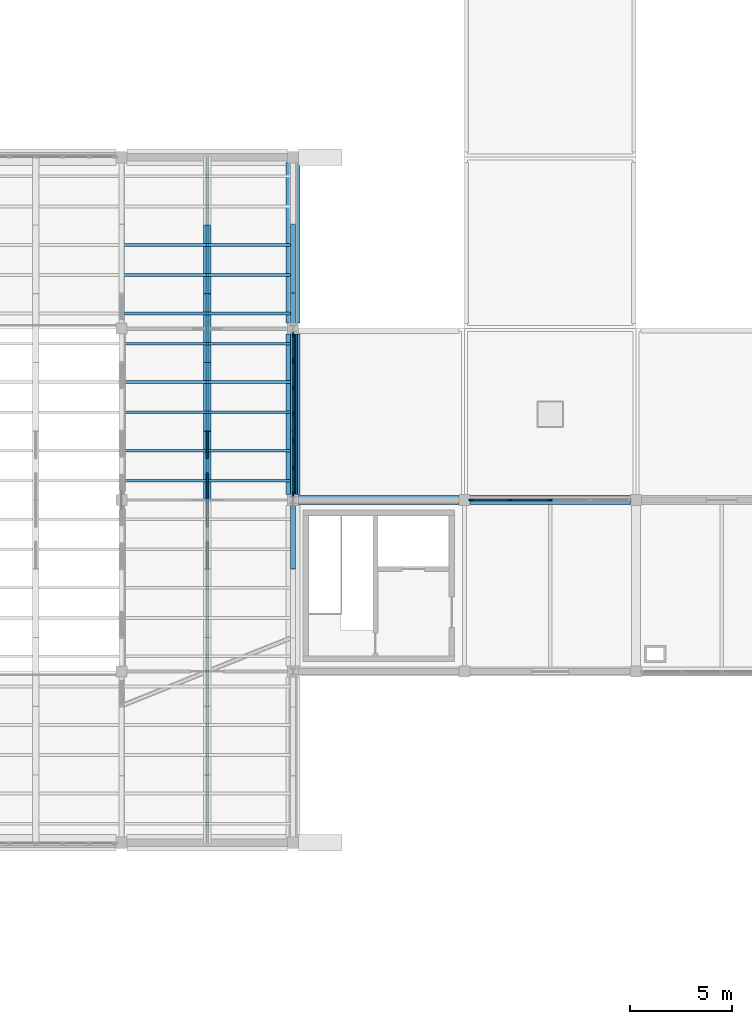
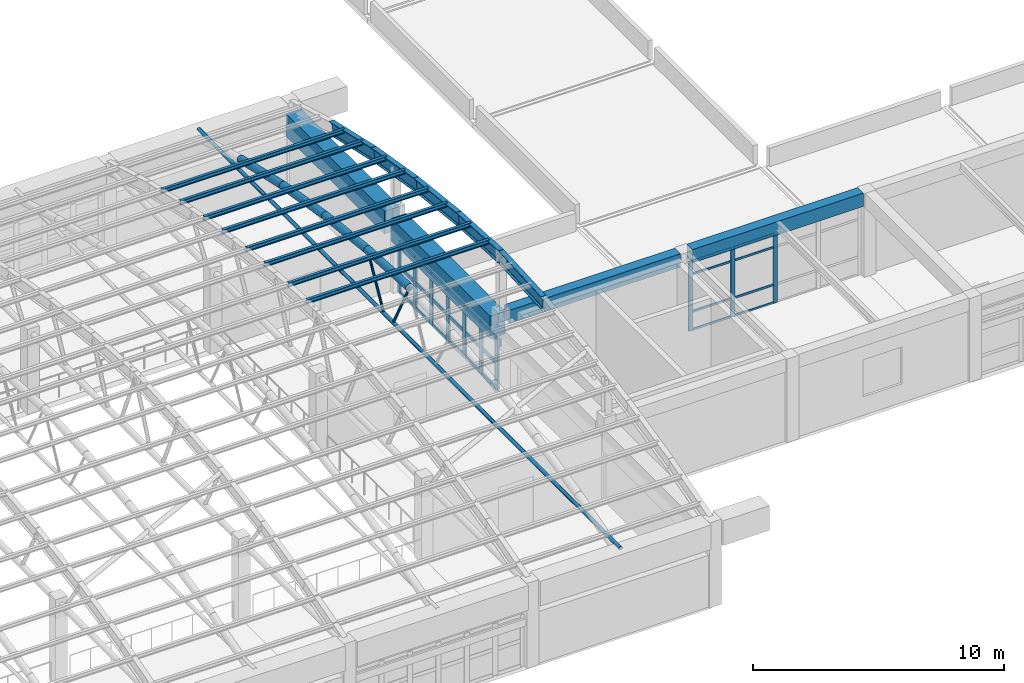
# One storey, part 22 of 74: 52 members, 9 beams, 2 elements without a shape of their own.
"""IFC4 building model written with IfcOpenShell, lengths in metres."""

from ifc_helpers import new_model, si_unit, direction, frame, origin, origin_2d, place, context, subcontext, project, spatial, rectangle, hollow_circle, i_section, extrude, material, layer, layer_set, material_profile, profile_set, type_object, element, aggregate, save


model = new_model("IFC4")

# Units and contexts
model_context = context("Model", 3, precision=1e-05, world=origin(), true_north=direction((0.0, 1.0)))
body_context = subcontext(model_context, "Body", "Model", "MODEL_VIEW")
ifc_project = project(units=[si_unit("LENGTHUNIT", "METRE"), si_unit("AREAUNIT", "SQUARE_METRE"), si_unit("VOLUMEUNIT", "CUBIC_METRE"), si_unit("PLANEANGLEUNIT", "RADIAN"), si_unit("MASSUNIT", "GRAM", prefix="KILO")], contexts=[model_context])

# Site, building, storey
site_placement = place(None, origin())
site = spatial("IfcSite", under=ifc_project, at=site_placement, CompositionType="ELEMENT")
building_placement = place(site_placement, origin())
building = spatial("IfcBuilding", under=site, at=building_placement, Name="Porcellanite Civic Hall", CompositionType="ELEMENT")
storey_placement = place(building_placement, frame((0.0, 0.0, 14.760009765625)))
storey = spatial("IfcBuildingStorey", under=building, at=storey_placement, Name="L03", CompositionType="ELEMENT", Elevation=14.760009765625)

# Members
ifc_material_1 = material(Name="Steel C350L0", Category="steel")
ifc_material_profile_1 = material_profile(ifc_material_1, hollow_circle(Radius=0.177734375, WallThickness=0.0126953125, at=origin_2d()), Name="355.6x12.7CHS")
ifc_profile_set_1 = profile_set([ifc_material_profile_1], Name="Steel C350L0")
member_type_1 = type_object("IfcMemberType", Name="ARCH-355CHS", PredefinedType="RAFTER", material=ifc_profile_set_1)
member_1_placement = place(storey_placement, frame((105.0, 58.800048828125, 6.608154296875), z_axis=(0.0, 0.998438398823, -0.055863796475), x_axis=(-1.0, 0.0, 0.0)))
element("IfcMember", 1, at=member_1_placement, inside=storey, type_object=member_type_1, Name="Chamber secondary arch segment 12 6", PredefinedType="RAFTER", context=body_context, shape_type="SweptSolid", body=[
    extrude(hollow_circle(Radius=0.177734375, WallThickness=0.0126953125, at=origin_2d()), origin(), (0.0, 0.0, 1.0), 3.365234375),
])
member_2_placement = place(storey_placement, frame((105.0, 62.159912109375, 6.41552734375), z_axis=(0.0, 0.993766061763, -0.111485490036), x_axis=(-1.0, 0.0, 0.0)))
element("IfcMember", 2, at=member_2_placement, inside=storey, type_object=member_type_1, Name="Chamber secondary arch segment 12 7", PredefinedType="RAFTER", context=body_context, shape_type="SweptSolid", body=[
    extrude(hollow_circle(Radius=0.177734375, WallThickness=0.0126953125, at=origin_2d()), origin(), (0.0, 0.0, 1.0), 3.381103515625),
])
member_3_placement = place(storey_placement, frame((105.0, 65.52001953125, 6.033447265625), z_axis=(0.0, 0.985992126332, -0.166791866742), x_axis=(-1.0, 0.0, 0.0)))
element("IfcMember", 3, at=member_3_placement, inside=storey, type_object=member_type_1, Name="Chamber secondary arch segment 12 8", PredefinedType="RAFTER", context=body_context, shape_type="SweptSolid", body=[
    extrude(hollow_circle(Radius=0.177734375, WallThickness=0.0126953125, at=origin_2d()), origin(), (0.0, 0.0, 1.0), 3.40771484375),
])
member_4_placement = place(storey_placement, frame((105.0, 68.8798828125, 5.459228515625), z_axis=(0.0, 0.975147469677, -0.221556792682), x_axis=(-1.0, 0.0, 0.0)))
element("IfcMember", 4, at=member_4_placement, inside=storey, type_object=member_type_1, Name="Chamber secondary arch segment 12 9", PredefinedType="RAFTER", context=body_context, shape_type="SweptSolid", body=[
    extrude(hollow_circle(Radius=0.177734375, WallThickness=0.0126953125, at=origin_2d()), origin(), (0.0, 0.0, 1.0), 3.44580078125),
])

# Beams
ifc_material_2 = material(Name="Concrete N50 (50 MPa)", Category="concrete")
ifc_material_profile_2 = material_profile(ifc_material_2, rectangle(XDim=0.449951171875, YDim=0.64990234375, at=origin_2d()), Name="RC-450x650")
ifc_profile_set_2 = profile_set([ifc_material_profile_2], Name="Concrete N50 (50 MPa)")
beam_type_1 = type_object("IfcBeamType", Name="BM-RC650", PredefinedType="SPANDREL", material=ifc_profile_set_2)
beam_1_placement = place(storey_placement, frame((109.474609375, 58.800048828125, 3.744873046875), z_axis=(1.0, 0.0, 0.0), x_axis=(0.0, 1.0, 0.0)))
element("IfcBeam", 5, at=beam_1_placement, inside=storey, type_object=beam_type_1, Name="Beam X L03 14-8", PredefinedType="SPANDREL", context=body_context, shape_type="SweptSolid", body=[
    extrude(rectangle(XDim=0.449951171875, YDim=0.64990234375, at=origin_2d()), origin(), (0.0, 0.0, 1.0), 7.850830078125),
])
beam_2_placement = place(storey_placement, frame((117.87451171875, 58.800048828125, 3.744873046875), z_axis=(1.0, 0.0, 0.0), x_axis=(0.0, 1.0, 0.0)))
element("IfcBeam", 6, at=beam_2_placement, inside=storey, type_object=beam_type_1, Name="Beam X L03 15-8", PredefinedType="SPANDREL", context=body_context, shape_type="SweptSolid", body=[
    extrude(rectangle(XDim=0.449951171875, YDim=0.64990234375, at=origin_2d()), origin(), (0.0, 0.0, 1.0), 7.85107421875),
])

# Members
ifc_material_3 = material(Name="Steel C350L0", Category="steel")
ifc_material_profile_3 = material_profile(ifc_material_3, hollow_circle(Radius=0.05712890625, WallThickness=0.006103515625, at=origin_2d()), Name="114.3x6.0CHS")
ifc_profile_set_3 = profile_set([ifc_material_profile_3], Name="Steel C350L0")
member_type_2 = type_object("IfcMemberType", Name="BRC-114CHS", PredefinedType="BRACE", material=ifc_profile_set_3)
member_5_placement = place(storey_placement, frame((105.0, 60.10009765625, 4.11474609375), z_axis=(0.0, -0.461898880778, 0.886932592668), x_axis=(1.0, 0.0, 0.0)))
element("IfcMember", 7, at=member_5_placement, inside=storey, type_object=member_type_2, Name="Chamber secondary arch web 12-3", PredefinedType="BRACE", context=body_context, shape_type="SweptSolid", body=[
    extrude(hollow_circle(Radius=0.05712890625, WallThickness=0.006103515625, at=origin_2d()), origin(), (0.0, 0.0, 1.0), 2.814453125),
])
member_6_placement = place(storey_placement, frame((105.0, 60.860107421875, 4.11474609375), z_axis=(0.0, 0.490650607228, 0.871356403332), x_axis=(-1.0, 0.0, 0.0)))
element("IfcMember", 8, at=member_6_placement, inside=storey, type_object=member_type_2, Name="Chamber secondary arch web 12-4", PredefinedType="BRACE", context=body_context, shape_type="SweptSolid", body=[
    extrude(hollow_circle(Radius=0.05712890625, WallThickness=0.006103515625, at=origin_2d()), origin(), (0.0, 0.0, 1.0), 2.649169921875),
])
ifc_material_4 = material(Name="Steel C350L0", Category="steel")
ifc_material_profile_4 = material_profile(ifc_material_4, hollow_circle(Radius=0.084228515625, WallThickness=0.007080078125, at=origin_2d()), Name="168.3x7.1CHS")
ifc_profile_set_4 = profile_set([ifc_material_profile_4], Name="Steel C350L0")
member_type_3 = type_object("IfcMemberType", Name="BRC-168CHS", PredefinedType="BRACE", material=ifc_profile_set_4)
member_7_placement = place(storey_placement, frame((105.0, 42.0, 4.11474609375), z_axis=(0.0, 1.0, 0.0), x_axis=(-1.0, 0.0, 0.0)))
element("IfcMember", 9, at=member_7_placement, inside=storey, type_object=member_type_3, Name="Chamber secondary arch tie 12", PredefinedType="BRACE", context=body_context, shape_type="SweptSolid", body=[
    extrude(hollow_circle(Radius=0.084228515625, WallThickness=0.007080078125, at=origin_2d()), origin(), (0.0, 0.0, 1.0), 33.60009765625),
])

# Curtain wall, members
ifc_material_5 = material(Name="Anodised aluminium and solar laminated glass", Category="aluminium")
ifc_layer_1 = layer(ifc_material_5, 0.179931640625)
ifc_layer_set_1 = layer_set([ifc_layer_1], Name="Anodised aluminium and solar laminated glass")
curtain_wall_type_1 = type_object("IfcCurtainWallType", Name="CW-SYS01", PredefinedType="NOTDEFINED", material=ifc_layer_set_1)
curtain_wall_1_placement = place(storey_placement, origin())
curtain_wall_1 = element("IfcCurtainWall", 10, at=curtain_wall_1_placement, inside=storey, type_object=curtain_wall_type_1, Name="Curtain wall CW-213", PredefinedType="NOTDEFINED")
ifc_material_6 = material(Name="Anodised aluminium 6063-T6", Category="aluminium")
ifc_material_profile_5 = material_profile(ifc_material_6, rectangle(XDim=0.080078125, YDim=0.239990234375, at=origin_2d()), Name="AL-80x240")
ifc_profile_set_5 = profile_set([ifc_material_profile_5], Name="Anodised aluminium 6063-T6")
member_type_4 = type_object("IfcMemberType", Name="CWM-01", PredefinedType="MULLION", material=ifc_profile_set_5)
member_8_placement = place(storey_placement, frame((109.199951171875, 66.884033203125, 0.0), z_axis=(0.0, 0.0, 1.0), x_axis=(1.0, 0.0, 0.0)))
member_8 = element("IfcMember", 11, at=member_8_placement, type_object=member_type_4, Name="CW-213 mullion 1", PredefinedType="MULLION", context=body_context, shape_type="SweptSolid", body=[
    extrude(rectangle(XDim=0.080078125, YDim=0.239990234375, at=origin_2d()), origin(), (0.0, 0.0, 1.0), 2.52001953125),
])
member_9_placement = place(storey_placement, frame((109.199951171875, 65.615966796875, 0.0), z_axis=(0.0, 0.0, 1.0), x_axis=(1.0, 0.0, 0.0)))
member_9 = element("IfcMember", 12, at=member_9_placement, type_object=member_type_4, Name="CW-213 mullion 2", PredefinedType="MULLION", context=body_context, shape_type="SweptSolid", body=[
    extrude(rectangle(XDim=0.080078125, YDim=0.239990234375, at=origin_2d()), origin(), (0.0, 0.0, 1.0), 2.52001953125),
])
member_10_placement = place(storey_placement, frame((109.199951171875, 64.30810546875, 0.0), z_axis=(0.0, 0.0, 1.0), x_axis=(1.0, 0.0, 0.0)))
member_10 = element("IfcMember", 13, at=member_10_placement, type_object=member_type_4, Name="CW-213 mullion 3", PredefinedType="MULLION", context=body_context, shape_type="SweptSolid", body=[
    extrude(rectangle(XDim=0.080078125, YDim=0.239990234375, at=origin_2d()), origin(), (0.0, 0.0, 1.0), 2.52001953125),
])
member_11_placement = place(storey_placement, frame((109.199951171875, 63.0, 0.0), z_axis=(0.0, 0.0, 1.0), x_axis=(1.0, 0.0, 0.0)))
member_11 = element("IfcMember", 14, at=member_11_placement, type_object=member_type_4, Name="CW-213 mullion 4", PredefinedType="MULLION", context=body_context, shape_type="SweptSolid", body=[
    extrude(rectangle(XDim=0.080078125, YDim=0.239990234375, at=origin_2d()), origin(), (0.0, 0.0, 1.0), 2.52001953125),
])
member_12_placement = place(storey_placement, frame((109.199951171875, 61.69189453125, 0.0), z_axis=(0.0, 0.0, 1.0), x_axis=(1.0, 0.0, 0.0)))
member_12 = element("IfcMember", 15, at=member_12_placement, type_object=member_type_4, Name="CW-213 mullion 5", PredefinedType="MULLION", context=body_context, shape_type="SweptSolid", body=[
    extrude(rectangle(XDim=0.080078125, YDim=0.239990234375, at=origin_2d()), origin(), (0.0, 0.0, 1.0), 2.52001953125),
])
member_13_placement = place(storey_placement, frame((109.199951171875, 60.384033203125, 0.0), z_axis=(0.0, 0.0, 1.0), x_axis=(1.0, 0.0, 0.0)))
member_13 = element("IfcMember", 16, at=member_13_placement, type_object=member_type_4, Name="CW-213 mullion 6", PredefinedType="MULLION", context=body_context, shape_type="SweptSolid", body=[
    extrude(rectangle(XDim=0.080078125, YDim=0.239990234375, at=origin_2d()), origin(), (0.0, 0.0, 1.0), 2.52001953125),
])
member_14_placement = place(storey_placement, frame((109.199951171875, 59.115966796875, 0.0), z_axis=(0.0, 0.0, 1.0), x_axis=(1.0, 0.0, 0.0)))
member_14 = element("IfcMember", 17, at=member_14_placement, type_object=member_type_4, Name="CW-213 mullion 7", PredefinedType="MULLION", context=body_context, shape_type="SweptSolid", body=[
    extrude(rectangle(XDim=0.080078125, YDim=0.239990234375, at=origin_2d()), origin(), (0.0, 0.0, 1.0), 2.52001953125),
])

ifc_material_7 = material(Name="Anodised aluminium and solar laminated glass", Category="aluminium")
ifc_layer_2 = layer(ifc_material_7, 0.179931640625)
ifc_layer_set_2 = layer_set([ifc_layer_2], Name="Anodised aluminium and solar laminated glass")
curtain_wall_type_2 = type_object("IfcCurtainWallType", Name="CW-SYS04", PredefinedType="NOTDEFINED", material=ifc_layer_set_2)
curtain_wall_2_placement = place(storey_placement, origin())
curtain_wall_2 = element("IfcCurtainWall", 18, at=curtain_wall_2_placement, inside=storey, type_object=curtain_wall_type_2, Name="Curtain wall CW-217", PredefinedType="NOTDEFINED")
ifc_material_8 = material(Name="Anodised aluminium 6063-T6", Category="aluminium")
ifc_material_profile_6 = material_profile(ifc_material_8, rectangle(XDim=0.074951171875, YDim=0.18994140625, at=origin_2d()), Name="AL-75x190")
ifc_profile_set_6 = profile_set([ifc_material_profile_6], Name="Anodised aluminium 6063-T6")
member_type_5 = type_object("IfcMemberType", Name="CWM-04", PredefinedType="MULLION", material=ifc_profile_set_6)
member_15_placement = place(storey_placement, frame((117.91357421875, 58.800048828125, 0.0), z_axis=(0.0, 0.0, 1.0), x_axis=(0.0, 1.0, 0.0)))
member_15 = element("IfcMember", 19, at=member_15_placement, type_object=member_type_5, Name="CW-217 mullion 1", PredefinedType="MULLION", context=body_context, shape_type="SweptSolid", body=[
    extrude(rectangle(XDim=0.074951171875, YDim=0.18994140625, at=origin_2d()), origin(), (0.0, 0.0, 1.0), 3.369873046875),
])
member_16_placement = place(storey_placement, frame((119.837890625, 58.800048828125, 0.0), z_axis=(0.0, 0.0, 1.0), x_axis=(0.0, 1.0, 0.0)))
member_16 = element("IfcMember", 20, at=member_16_placement, type_object=member_type_5, Name="CW-217 mullion 2", PredefinedType="MULLION", context=body_context, shape_type="SweptSolid", body=[
    extrude(rectangle(XDim=0.074951171875, YDim=0.18994140625, at=origin_2d()), origin(), (0.0, 0.0, 1.0), 3.369873046875),
])
member_17_placement = place(storey_placement, frame((121.800048828125, 58.800048828125, 0.0), z_axis=(0.0, 0.0, 1.0), x_axis=(0.0, 1.0, 0.0)))
member_17 = element("IfcMember", 21, at=member_17_placement, type_object=member_type_5, Name="CW-217 mullion 3", PredefinedType="MULLION", context=body_context, shape_type="SweptSolid", body=[
    extrude(rectangle(XDim=0.074951171875, YDim=0.18994140625, at=origin_2d()), origin(), (0.0, 0.0, 1.0), 3.369873046875),
])

# Member
ifc_material_9 = material(Name="Anodised aluminium 6063-T6", Category="aluminium")
ifc_material_profile_7 = material_profile(ifc_material_9, rectangle(XDim=0.070068359375, YDim=0.175048828125, at=origin_2d()), Name="AL-70x175")
ifc_profile_set_7 = profile_set([ifc_material_profile_7], Name="Anodised aluminium 6063-T6")
member_type_6 = type_object("IfcMemberType", Name="CWT-01", PredefinedType="USERDEFINED", material=ifc_profile_set_7)
member_18_placement = place(storey_placement, frame((109.199951171875, 66.843994140625, 0.034912109375), z_axis=(0.0, -1.0, 0.0), x_axis=(1.0, 0.0, 0.0)))
member_18 = element("IfcMember", 22, at=member_18_placement, type_object=member_type_6, Name="CW-213 transom 1.1", ObjectType="TRANSOM", PredefinedType="USERDEFINED", context=body_context, shape_type="SweptSolid", body=[
    extrude(rectangle(XDim=0.070068359375, YDim=0.175048828125, at=origin_2d()), origin(), (0.0, 0.0, 1.0), 1.18798828125),
])

member_19_placement = place(storey_placement, frame((109.199951171875, 66.843994140625, 1.260009765625), z_axis=(0.0, -1.0, 0.0), x_axis=(1.0, 0.0, 0.0)))
member_19 = element("IfcMember", 23, at=member_19_placement, type_object=member_type_6, Name="CW-213 transom 1.2", ObjectType="TRANSOM", PredefinedType="USERDEFINED", context=body_context, shape_type="SweptSolid", body=[
    extrude(rectangle(XDim=0.070068359375, YDim=0.175048828125, at=origin_2d()), origin(), (0.0, 0.0, 1.0), 1.18798828125),
])

member_20_placement = place(storey_placement, frame((109.199951171875, 66.843994140625, 2.485107421875), z_axis=(0.0, -1.0, 0.0), x_axis=(1.0, 0.0, 0.0)))
member_20 = element("IfcMember", 24, at=member_20_placement, type_object=member_type_6, Name="CW-213 transom 1.3", ObjectType="TRANSOM", PredefinedType="USERDEFINED", context=body_context, shape_type="SweptSolid", body=[
    extrude(rectangle(XDim=0.070068359375, YDim=0.175048828125, at=origin_2d()), origin(), (0.0, 0.0, 1.0), 1.18798828125),
])

member_21_placement = place(storey_placement, frame((109.199951171875, 65.575927734375, 0.034912109375), z_axis=(0.0, -1.0, 0.0), x_axis=(1.0, 0.0, 0.0)))
member_21 = element("IfcMember", 25, at=member_21_placement, type_object=member_type_6, Name="CW-213 transom 2.1", ObjectType="TRANSOM", PredefinedType="USERDEFINED", context=body_context, shape_type="SweptSolid", body=[
    extrude(rectangle(XDim=0.070068359375, YDim=0.175048828125, at=origin_2d()), origin(), (0.0, 0.0, 1.0), 1.22802734375),
])

member_22_placement = place(storey_placement, frame((109.199951171875, 65.575927734375, 1.260009765625), z_axis=(0.0, -1.0, 0.0), x_axis=(1.0, 0.0, 0.0)))
member_22 = element("IfcMember", 26, at=member_22_placement, type_object=member_type_6, Name="CW-213 transom 2.2", ObjectType="TRANSOM", PredefinedType="USERDEFINED", context=body_context, shape_type="SweptSolid", body=[
    extrude(rectangle(XDim=0.070068359375, YDim=0.175048828125, at=origin_2d()), origin(), (0.0, 0.0, 1.0), 1.22802734375),
])

member_23_placement = place(storey_placement, frame((109.199951171875, 65.575927734375, 2.485107421875), z_axis=(0.0, -1.0, 0.0), x_axis=(1.0, 0.0, 0.0)))
member_23 = element("IfcMember", 27, at=member_23_placement, type_object=member_type_6, Name="CW-213 transom 2.3", ObjectType="TRANSOM", PredefinedType="USERDEFINED", context=body_context, shape_type="SweptSolid", body=[
    extrude(rectangle(XDim=0.070068359375, YDim=0.175048828125, at=origin_2d()), origin(), (0.0, 0.0, 1.0), 1.22802734375),
])

member_24_placement = place(storey_placement, frame((109.199951171875, 64.26806640625, 0.034912109375), z_axis=(0.0, -1.0, 0.0), x_axis=(1.0, 0.0, 0.0)))
member_24 = element("IfcMember", 28, at=member_24_placement, type_object=member_type_6, Name="CW-213 transom 3.1", ObjectType="TRANSOM", PredefinedType="USERDEFINED", context=body_context, shape_type="SweptSolid", body=[
    extrude(rectangle(XDim=0.070068359375, YDim=0.175048828125, at=origin_2d()), origin(), (0.0, 0.0, 1.0), 1.22802734375),
])

member_25_placement = place(storey_placement, frame((109.199951171875, 64.26806640625, 1.260009765625), z_axis=(0.0, -1.0, 0.0), x_axis=(1.0, 0.0, 0.0)))
member_25 = element("IfcMember", 29, at=member_25_placement, type_object=member_type_6, Name="CW-213 transom 3.2", ObjectType="TRANSOM", PredefinedType="USERDEFINED", context=body_context, shape_type="SweptSolid", body=[
    extrude(rectangle(XDim=0.070068359375, YDim=0.175048828125, at=origin_2d()), origin(), (0.0, 0.0, 1.0), 1.22802734375),
])

member_26_placement = place(storey_placement, frame((109.199951171875, 64.26806640625, 2.485107421875), z_axis=(0.0, -1.0, 0.0), x_axis=(1.0, 0.0, 0.0)))
member_26 = element("IfcMember", 30, at=member_26_placement, type_object=member_type_6, Name="CW-213 transom 3.3", ObjectType="TRANSOM", PredefinedType="USERDEFINED", context=body_context, shape_type="SweptSolid", body=[
    extrude(rectangle(XDim=0.070068359375, YDim=0.175048828125, at=origin_2d()), origin(), (0.0, 0.0, 1.0), 1.22802734375),
])

member_27_placement = place(storey_placement, frame((109.199951171875, 62.9599609375, 0.034912109375), z_axis=(0.0, -1.0, 0.0), x_axis=(1.0, 0.0, 0.0)))
member_27 = element("IfcMember", 31, at=member_27_placement, type_object=member_type_6, Name="CW-213 transom 4.1", ObjectType="TRANSOM", PredefinedType="USERDEFINED", context=body_context, shape_type="SweptSolid", body=[
    extrude(rectangle(XDim=0.070068359375, YDim=0.175048828125, at=origin_2d()), origin(), (0.0, 0.0, 1.0), 1.22802734375),
])

member_28_placement = place(storey_placement, frame((109.199951171875, 62.9599609375, 1.260009765625), z_axis=(0.0, -1.0, 0.0), x_axis=(1.0, 0.0, 0.0)))
member_28 = element("IfcMember", 32, at=member_28_placement, type_object=member_type_6, Name="CW-213 transom 4.2", ObjectType="TRANSOM", PredefinedType="USERDEFINED", context=body_context, shape_type="SweptSolid", body=[
    extrude(rectangle(XDim=0.070068359375, YDim=0.175048828125, at=origin_2d()), origin(), (0.0, 0.0, 1.0), 1.22802734375),
])

member_29_placement = place(storey_placement, frame((109.199951171875, 62.9599609375, 2.485107421875), z_axis=(0.0, -1.0, 0.0), x_axis=(1.0, 0.0, 0.0)))
member_29 = element("IfcMember", 33, at=member_29_placement, type_object=member_type_6, Name="CW-213 transom 4.3", ObjectType="TRANSOM", PredefinedType="USERDEFINED", context=body_context, shape_type="SweptSolid", body=[
    extrude(rectangle(XDim=0.070068359375, YDim=0.175048828125, at=origin_2d()), origin(), (0.0, 0.0, 1.0), 1.22802734375),
])

member_30_placement = place(storey_placement, frame((109.199951171875, 61.652099609375, 0.034912109375), z_axis=(0.0, -1.0, 0.0), x_axis=(1.0, 0.0, 0.0)))
member_30 = element("IfcMember", 34, at=member_30_placement, type_object=member_type_6, Name="CW-213 transom 5.1", ObjectType="TRANSOM", PredefinedType="USERDEFINED", context=body_context, shape_type="SweptSolid", body=[
    extrude(rectangle(XDim=0.070068359375, YDim=0.175048828125, at=origin_2d()), origin(), (0.0, 0.0, 1.0), 1.22802734375),
])

member_31_placement = place(storey_placement, frame((109.199951171875, 61.652099609375, 1.260009765625), z_axis=(0.0, -1.0, 0.0), x_axis=(1.0, 0.0, 0.0)))
member_31 = element("IfcMember", 35, at=member_31_placement, type_object=member_type_6, Name="CW-213 transom 5.2", ObjectType="TRANSOM", PredefinedType="USERDEFINED", context=body_context, shape_type="SweptSolid", body=[
    extrude(rectangle(XDim=0.070068359375, YDim=0.175048828125, at=origin_2d()), origin(), (0.0, 0.0, 1.0), 1.22802734375),
])

member_32_placement = place(storey_placement, frame((109.199951171875, 61.652099609375, 2.485107421875), z_axis=(0.0, -1.0, 0.0), x_axis=(1.0, 0.0, 0.0)))
member_32 = element("IfcMember", 36, at=member_32_placement, type_object=member_type_6, Name="CW-213 transom 5.3", ObjectType="TRANSOM", PredefinedType="USERDEFINED", context=body_context, shape_type="SweptSolid", body=[
    extrude(rectangle(XDim=0.070068359375, YDim=0.175048828125, at=origin_2d()), origin(), (0.0, 0.0, 1.0), 1.22802734375),
])

member_33_placement = place(storey_placement, frame((109.199951171875, 60.343994140625, 0.034912109375), z_axis=(0.0, -1.0, 0.0), x_axis=(1.0, 0.0, 0.0)))
member_33 = element("IfcMember", 37, at=member_33_placement, type_object=member_type_6, Name="CW-213 transom 6.1", ObjectType="TRANSOM", PredefinedType="USERDEFINED", context=body_context, shape_type="SweptSolid", body=[
    extrude(rectangle(XDim=0.070068359375, YDim=0.175048828125, at=origin_2d()), origin(), (0.0, 0.0, 1.0), 1.18798828125),
])

member_34_placement = place(storey_placement, frame((109.199951171875, 60.343994140625, 1.260009765625), z_axis=(0.0, -1.0, 0.0), x_axis=(1.0, 0.0, 0.0)))
member_34 = element("IfcMember", 38, at=member_34_placement, type_object=member_type_6, Name="CW-213 transom 6.2", ObjectType="TRANSOM", PredefinedType="USERDEFINED", context=body_context, shape_type="SweptSolid", body=[
    extrude(rectangle(XDim=0.070068359375, YDim=0.175048828125, at=origin_2d()), origin(), (0.0, 0.0, 1.0), 1.18798828125),
])

member_35_placement = place(storey_placement, frame((109.199951171875, 60.343994140625, 2.485107421875), z_axis=(0.0, -1.0, 0.0), x_axis=(1.0, 0.0, 0.0)))
member_35 = element("IfcMember", 39, at=member_35_placement, type_object=member_type_6, Name="CW-213 transom 6.3", ObjectType="TRANSOM", PredefinedType="USERDEFINED", context=body_context, shape_type="SweptSolid", body=[
    extrude(rectangle(XDim=0.070068359375, YDim=0.175048828125, at=origin_2d()), origin(), (0.0, 0.0, 1.0), 1.18798828125),
])

aggregate(curtain_wall_1, [member_8, member_9, member_10, member_11, member_12, member_13, member_14, member_18, member_19, member_20, member_21, member_22, member_23, member_24, member_25, member_26, member_27, member_28, member_29, member_30, member_31, member_32, member_33, member_34, member_35])

ifc_material_10 = material(Name="Anodised aluminium 6063-T6", Category="aluminium")
ifc_material_profile_8 = material_profile(ifc_material_10, rectangle(XDim=0.054931640625, YDim=0.10009765625, at=origin_2d()), Name="AL-55x100")
ifc_profile_set_8 = profile_set([ifc_material_profile_8], Name="Anodised aluminium 6063-T6")
member_type_7 = type_object("IfcMemberType", Name="CWT-05", PredefinedType="USERDEFINED", material=ifc_profile_set_8)
member_36_placement = place(storey_placement, frame((117.950927734375, 58.800048828125, 0.027587890625), z_axis=(1.0, 0.0, 0.0), x_axis=(0.0, 1.0, 0.0)))
member_36 = element("IfcMember", 40, at=member_36_placement, type_object=member_type_7, Name="CW-217 transom 1.1", ObjectType="TRANSOM", PredefinedType="USERDEFINED", context=body_context, shape_type="SweptSolid", body=[
    extrude(rectangle(XDim=0.054931640625, YDim=0.10009765625, at=origin_2d()), origin(), (0.0, 0.0, 1.0), 1.849609375),
])

member_37_placement = place(storey_placement, frame((117.950927734375, 58.800048828125, 0.89990234375), z_axis=(1.0, 0.0, 0.0), x_axis=(0.0, 1.0, 0.0)))
member_37 = element("IfcMember", 41, at=member_37_placement, type_object=member_type_7, Name="CW-217 transom 1.2", ObjectType="TRANSOM", PredefinedType="USERDEFINED", context=body_context, shape_type="SweptSolid", body=[
    extrude(rectangle(XDim=0.054931640625, YDim=0.10009765625, at=origin_2d()), origin(), (0.0, 0.0, 1.0), 1.849609375),
])

member_38_placement = place(storey_placement, frame((117.950927734375, 58.800048828125, 2.719970703125), z_axis=(1.0, 0.0, 0.0), x_axis=(0.0, 1.0, 0.0)))
member_38 = element("IfcMember", 42, at=member_38_placement, type_object=member_type_7, Name="CW-217 transom 1.3", ObjectType="TRANSOM", PredefinedType="USERDEFINED", context=body_context, shape_type="SweptSolid", body=[
    extrude(rectangle(XDim=0.054931640625, YDim=0.10009765625, at=origin_2d()), origin(), (0.0, 0.0, 1.0), 1.849609375),
])

member_39_placement = place(storey_placement, frame((117.950927734375, 58.800048828125, 3.342529296875), z_axis=(1.0, 0.0, 0.0), x_axis=(0.0, 1.0, 0.0)))
member_39 = element("IfcMember", 43, at=member_39_placement, type_object=member_type_7, Name="CW-217 transom 1.4", ObjectType="TRANSOM", PredefinedType="USERDEFINED", context=body_context, shape_type="SweptSolid", body=[
    extrude(rectangle(XDim=0.054931640625, YDim=0.10009765625, at=origin_2d()), origin(), (0.0, 0.0, 1.0), 1.849609375),
])

member_40_placement = place(storey_placement, frame((119.87548828125, 58.800048828125, 0.027587890625), z_axis=(1.0, 0.0, 0.0), x_axis=(0.0, 1.0, 0.0)))
member_40 = element("IfcMember", 44, at=member_40_placement, type_object=member_type_7, Name="CW-217 transom 2.1", ObjectType="TRANSOM", PredefinedType="USERDEFINED", context=body_context, shape_type="SweptSolid", body=[
    extrude(rectangle(XDim=0.054931640625, YDim=0.10009765625, at=origin_2d()), origin(), (0.0, 0.0, 1.0), 1.886962890625),
])

member_41_placement = place(storey_placement, frame((119.87548828125, 58.800048828125, 0.89990234375), z_axis=(1.0, 0.0, 0.0), x_axis=(0.0, 1.0, 0.0)))
member_41 = element("IfcMember", 45, at=member_41_placement, type_object=member_type_7, Name="CW-217 transom 2.2", ObjectType="TRANSOM", PredefinedType="USERDEFINED", context=body_context, shape_type="SweptSolid", body=[
    extrude(rectangle(XDim=0.054931640625, YDim=0.10009765625, at=origin_2d()), origin(), (0.0, 0.0, 1.0), 1.886962890625),
])

member_42_placement = place(storey_placement, frame((119.87548828125, 58.800048828125, 2.719970703125), z_axis=(1.0, 0.0, 0.0), x_axis=(0.0, 1.0, 0.0)))
member_42 = element("IfcMember", 46, at=member_42_placement, type_object=member_type_7, Name="CW-217 transom 2.3", ObjectType="TRANSOM", PredefinedType="USERDEFINED", context=body_context, shape_type="SweptSolid", body=[
    extrude(rectangle(XDim=0.054931640625, YDim=0.10009765625, at=origin_2d()), origin(), (0.0, 0.0, 1.0), 1.886962890625),
])

member_43_placement = place(storey_placement, frame((119.87548828125, 58.800048828125, 3.342529296875), z_axis=(1.0, 0.0, 0.0), x_axis=(0.0, 1.0, 0.0)))
member_43 = element("IfcMember", 47, at=member_43_placement, type_object=member_type_7, Name="CW-217 transom 2.4", ObjectType="TRANSOM", PredefinedType="USERDEFINED", context=body_context, shape_type="SweptSolid", body=[
    extrude(rectangle(XDim=0.054931640625, YDim=0.10009765625, at=origin_2d()), origin(), (0.0, 0.0, 1.0), 1.886962890625),
])

aggregate(curtain_wall_2, [member_15, member_16, member_17, member_36, member_37, member_38, member_39, member_40, member_41, member_42, member_43])

# Beams
ifc_material_11 = material(Name="Concrete N50 (50 MPa)", Category="concrete")
ifc_material_profile_9 = material_profile(ifc_material_11, rectangle(XDim=0.699951171875, YDim=1.10009765625, at=origin_2d()), Name="RC-700x1100")
ifc_profile_set_9 = profile_set([ifc_material_profile_9], Name="Concrete N50 (50 MPa)")
beam_type_2 = type_object("IfcBeamType", Name="EB-CH2", PredefinedType="BEAM", material=ifc_profile_set_9)
beam_3_placement = place(storey_placement, frame((109.199951171875, 59.074462890625, 3.144775390625), z_axis=(0.0, 1.0, 0.0), x_axis=(-1.0, 0.0, 0.0)))
element("IfcBeam", 48, at=beam_3_placement, inside=storey, type_object=beam_type_2, Name="Chamber end ring beam E 7", PredefinedType="BEAM", context=body_context, shape_type="SweptSolid", body=[
    extrude(rectangle(XDim=0.699951171875, YDim=1.10009765625, at=origin_2d()), origin(), (0.0, 0.0, 1.0), 7.85107421875),
])
beam_4_placement = place(storey_placement, frame((109.199951171875, 67.474609375, 3.144775390625), z_axis=(0.0, 1.0, 0.0), x_axis=(-1.0, 0.0, 0.0)))
element("IfcBeam", 49, at=beam_4_placement, inside=storey, type_object=beam_type_2, Name="Chamber end ring beam E 8", PredefinedType="BEAM", context=body_context, shape_type="SweptSolid", body=[
    extrude(rectangle(XDim=0.699951171875, YDim=1.10009765625, at=origin_2d()), origin(), (0.0, 0.0, 1.0), 7.850830078125),
])

# Members
ifc_material_12 = material(Name="Fluoropolymer bauxite-red aluminium 6063-T6", Category="aluminium")
ifc_material_profile_10 = material_profile(ifc_material_12, rectangle(XDim=0.090087890625, YDim=0.360107421875, at=origin_2d()), Name="AL-90x360")
ifc_profile_set_10 = profile_set([ifc_material_profile_10], Name="Fluoropolymer bauxite-red aluminium 6063-T6")
member_type_8 = type_object("IfcMemberType", Name="LV-BLD01", PredefinedType="USERDEFINED", material=ifc_profile_set_10)
member_44_placement = place(storey_placement, frame((109.366943359375, 66.925537109375, 2.219970703125), z_axis=(0.0, -1.0, 0.0), x_axis=(1.0, 0.0, 0.0)))
element("IfcMember", 50, at=member_44_placement, inside=storey, type_object=member_type_8, Name="Cyclone sunshade louvre L03 E 12-7 1", ObjectType="LOUVRE BLADE", PredefinedType="USERDEFINED", context=body_context, shape_type="SweptSolid", body=[
    extrude(rectangle(XDim=0.090087890625, YDim=0.360107421875, at=origin_2d()), origin(), (0.0, 0.0, 1.0), 7.85107421875),
])
ifc_material_13 = material(Name="Steel Grade 350", Category="steel")
ifc_material_profile_11 = material_profile(ifc_material_13, i_section(OverallWidth=0.133056640625, OverallDepth=0.202880859375, WebThickness=0.005859375, FlangeThickness=0.0078125, FilletRadius=0.0087890625, at=origin_2d()), Name="200UB25.4")
ifc_profile_set_11 = profile_set([ifc_material_profile_11], Name="Steel Grade 350")
member_type_9 = type_object("IfcMemberType", Name="PUR-200UB25", PredefinedType="PURLIN", material=ifc_profile_set_11)
for number, where, z_axis, x_axis, name in (
    (51, (100.806396484375, 59.74072265625, 6.833740234375), (1.0, 0.0, 0.0), (0.0, 1.0, 0.0), "Chamber shell purlin 12 6A"),
    (52, (100.806396484375, 61.21923828125, 6.7509765625), (1.0, 0.0, 0.0), (0.0, 1.0, 0.0), "Chamber shell purlin 12 6B"),
    (53, (100.806396484375, 63.100830078125, 6.58837890625), (1.0, 0.0, 0.0), (0.0, 1.0, 0.0), "Chamber shell purlin 12 7A"),
    (54, (100.806396484375, 64.5791015625, 6.422607421875), (1.0, 0.0, 0.0), (0.0, 1.0, 0.0), "Chamber shell purlin 12 7B"),
    (55, (100.806396484375, 66.460693359375, 6.152587890625), (1.0, 0.0, 0.0), (0.0, 1.0, 0.0), "Chamber shell purlin 12 8A"),
    (56, (100.806396484375, 67.939208984375, 5.902587890625), (1.0, 0.0, 0.0), (0.0, 1.0, 0.0), "Chamber shell purlin 12 8B"),
    (57, (100.806396484375, 69.82080078125, 5.523681640625), (1.0, 0.0, 0.0), (0.0, 1.0, 0.0), "Chamber shell purlin 12 9A"),
    (58, (100.806396484375, 71.29931640625, 5.18798828125), (1.0, 0.0, 0.0), (0.0, 1.0, 0.0), "Chamber shell purlin 12 9B"),
):
    element("IfcMember", number, at=place(storey_placement, frame(where, z_axis=z_axis, x_axis=x_axis)), inside=storey, type_object=member_type_9, Name=name, PredefinedType="PURLIN", context=body_context, shape_type="SweptSolid", body=[
        extrude(i_section(OverallWidth=0.133056640625, OverallDepth=0.202880859375, WebThickness=0.005859375, FlangeThickness=0.0078125, FilletRadius=0.0087890625, at=origin_2d()), origin(), (0.0, 0.0, 1.0), 8.38720703125),
    ])

# Beams
ifc_material_14 = material(Name="Steel Grade 350", Category="steel")
ifc_material_profile_12 = material_profile(ifc_material_14, i_section(OverallWidth=0.22900390625, OverallDepth=0.612060546875, WebThickness=0.011962890625, FlangeThickness=0.01953125, FilletRadius=0.013916015625, at=origin_2d()), Name="610UB125")
ifc_profile_set_12 = profile_set([ifc_material_profile_12], Name="Steel Grade 350")
beam_type_3 = type_object("IfcBeamType", Name="RIB-610UB125", PredefinedType="BEAM", material=ifc_profile_set_12)
beam_5_placement = place(storey_placement, frame((109.199951171875, 55.43994140625, 6.4599609375), z_axis=(0.0, 0.998442668633, 0.055787430951), x_axis=(-1.0, 0.0, 0.0)))
element("IfcBeam", 59, at=beam_5_placement, inside=storey, type_object=beam_type_3, Name="Chamber steel arch rib 13 seg 5", PredefinedType="BEAM", context=body_context, shape_type="SweptSolid", body=[
    extrude(i_section(OverallWidth=0.22900390625, OverallDepth=0.612060546875, WebThickness=0.011962890625, FlangeThickness=0.01953125, FilletRadius=0.013916015625, at=origin_2d()), origin(), (0.0, 0.0, 1.0), 3.365234375),
])
beam_6_placement = place(storey_placement, frame((109.199951171875, 58.800048828125, 6.647705078125), z_axis=(0.0, 0.99844244283, -0.055791472063), x_axis=(-1.0, 0.0, 0.0)))
element("IfcBeam", 60, at=beam_6_placement, inside=storey, type_object=beam_type_3, Name="Chamber steel arch rib 13 seg 6", PredefinedType="BEAM", context=body_context, shape_type="SweptSolid", body=[
    extrude(i_section(OverallWidth=0.22900390625, OverallDepth=0.612060546875, WebThickness=0.011962890625, FlangeThickness=0.01953125, FilletRadius=0.013916015625, at=origin_2d()), origin(), (0.0, 0.0, 1.0), 3.364990234375),
])
beam_7_placement = place(storey_placement, frame((109.199951171875, 62.159912109375, 6.4599609375), z_axis=(0.0, 0.993766061763, -0.111485490036), x_axis=(-1.0, 0.0, 0.0)))
element("IfcBeam", 61, at=beam_7_placement, inside=storey, type_object=beam_type_3, Name="Chamber steel arch rib 13 seg 7", PredefinedType="BEAM", context=body_context, shape_type="SweptSolid", body=[
    extrude(i_section(OverallWidth=0.22900390625, OverallDepth=0.612060546875, WebThickness=0.011962890625, FlangeThickness=0.01953125, FilletRadius=0.013916015625, at=origin_2d()), origin(), (0.0, 0.0, 1.0), 3.381103515625),
])
beam_8_placement = place(storey_placement, frame((109.199951171875, 65.52001953125, 6.0830078125), z_axis=(0.0, 0.985992126332, -0.166791866742), x_axis=(-1.0, 0.0, 0.0)))
element("IfcBeam", 62, at=beam_8_placement, inside=storey, type_object=beam_type_3, Name="Chamber steel arch rib 13 seg 8", PredefinedType="BEAM", context=body_context, shape_type="SweptSolid", body=[
    extrude(i_section(OverallWidth=0.22900390625, OverallDepth=0.612060546875, WebThickness=0.011962890625, FlangeThickness=0.01953125, FilletRadius=0.013916015625, at=origin_2d()), origin(), (0.0, 0.0, 1.0), 3.40771484375),
])
beam_9_placement = place(storey_placement, frame((109.199951171875, 68.8798828125, 5.5146484375), z_axis=(0.0, 0.975162775381, -0.22148941625), x_axis=(-1.0, 0.0, 0.0)))
element("IfcBeam", 63, at=beam_9_placement, inside=storey, type_object=beam_type_3, Name="Chamber steel arch rib 13 seg 9", PredefinedType="BEAM", context=body_context, shape_type="SweptSolid", body=[
    extrude(i_section(OverallWidth=0.22900390625, OverallDepth=0.612060546875, WebThickness=0.011962890625, FlangeThickness=0.01953125, FilletRadius=0.013916015625, at=origin_2d()), origin(), (0.0, 0.0, 1.0), 3.44580078125),
])

save(model, "model.ifc")
